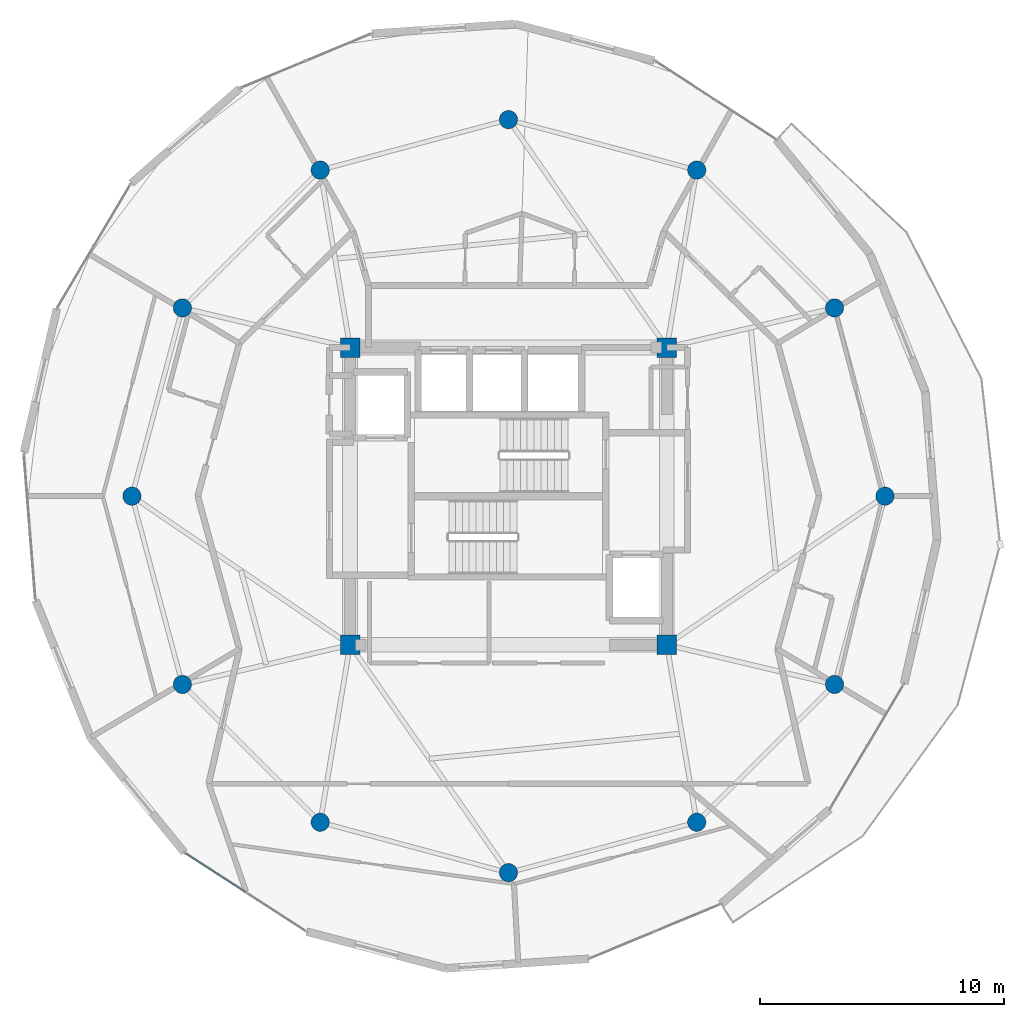
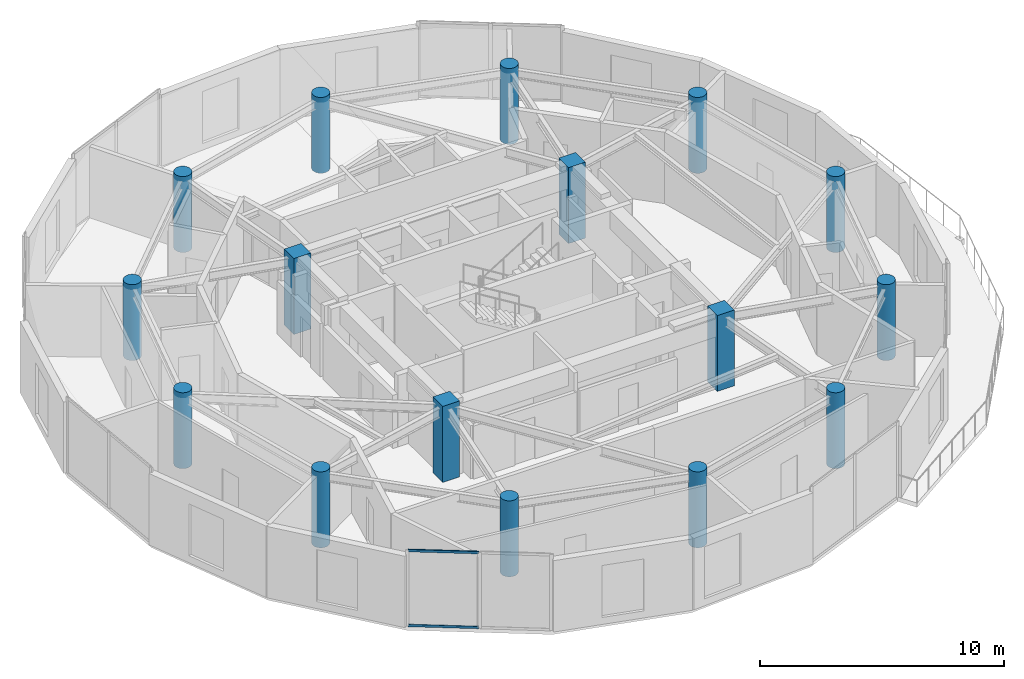
# One storey, part 1 of 22: 16 columns, 2 members, 1 element without a shape of its own.
"""IFC4 building model written with IfcOpenShell, lengths in metres."""

from ifc_helpers import new_model, si_unit, direction, frame, origin, origin_2d, place, context, subcontext, project, spatial, rectangle, hollow_rectangle, circle, extrude, source, transform, mapped, material, layer, layer_set, material_profile, profile_set, type_object, element, aggregate, save


model = new_model("IFC4")

# Units and contexts
model_context = context("Model", 3, precision=1e-05, world=origin(), true_north=direction((0.0, 1.0)))
body_context = subcontext(model_context, "Body", "Model", "MODEL_VIEW")
ifc_project = project(units=[si_unit("LENGTHUNIT", "METRE"), si_unit("AREAUNIT", "SQUARE_METRE"), si_unit("VOLUMEUNIT", "CUBIC_METRE"), si_unit("PLANEANGLEUNIT", "RADIAN"), si_unit("MASSUNIT", "GRAM", prefix="KILO")], contexts=[model_context])

# Site, building, storey
site_placement = place(None, origin())
site = spatial("IfcSite", under=ifc_project, at=site_placement, CompositionType="ELEMENT")
building_placement = place(site_placement, origin())
building = spatial("IfcBuilding", under=site, at=building_placement, Name="Solvirekh Grand Hotel", CompositionType="ELEMENT")
storey_placement = place(building_placement, frame((0.0, 0.0, 243.0)))
storey = spatial("IfcBuildingStorey", under=building, at=storey_placement, Name="L63", CompositionType="ELEMENT", Elevation=243.0)

# Columns
ifc_material_1 = material(Name="Concrete C50/60", Category="concrete")
ifc_material_profile_1 = material_profile(ifc_material_1, rectangle(XDim=0.800048828125, YDim=0.800048828125, at=origin_2d()), Name="RC 800X800")
ifc_profile_set_1 = profile_set([ifc_material_profile_1], Name="Concrete C50/60")
column_type_1 = type_object("IfcColumnType", Name="Col_Core_800", PredefinedType="COLUMN", material=ifc_profile_set_1)
for number, where, z_axis, x_axis, name in (
    (1, (-6.5, -6.10009765625, 0.0), (0.0, 0.0, 1.0), (1.0, 0.0, 0.0), "L63 core corner column CC1"),
    (2, (6.5, -6.10009765625, 0.0), (0.0, 0.0, 1.0), (1.0, 0.0, 0.0), "L63 core corner column CC2"),
    (3, (6.5, 6.10009765625, 0.0), (0.0, 0.0, 1.0), (1.0, 0.0, 0.0), "L63 core corner column CC3"),
    (4, (-6.5, 6.10009765625, 0.0), (0.0, 0.0, 1.0), (1.0, 0.0, 0.0), "L63 core corner column CC4"),
):
    element("IfcColumn", number, at=place(storey_placement, frame(where, z_axis=z_axis, x_axis=x_axis)), inside=storey, type_object=column_type_1, Name=name, PredefinedType="COLUMN", context=body_context, shape_type="SweptSolid", body=[
        extrude(rectangle(XDim=0.800048828125, YDim=0.800048828125, at=origin_2d()), origin(), (0.0, 0.0, 1.0), 3.800048828125),
    ])
ifc_material_profile_2 = material_profile(ifc_material_1, circle(Radius=0.375, at=origin_2d()), Name="RC CIRC D750")
ifc_profile_set_2 = profile_set([ifc_material_profile_2], Name="Concrete C50/60")
column_type_2 = type_object("IfcColumnType", Name="Col_Z4_D750", PredefinedType="COLUMN", material=ifc_profile_set_2)
for number, where, z_axis, x_axis, name in (
    (5, (15.449951171875, 0.0, 0.0), (0.0, 0.0, 1.0), (1.0, 0.0, 0.0), "L63 perimeter column P01"),
    (6, (13.3798828125, 7.72509765625, 0.0), (0.0, 0.0, 1.0), (1.0, 0.0, 0.0), "L63 perimeter column P02"),
    (7, (7.72509765625, 13.3798828125, 0.0), (0.0, 0.0, 1.0), (1.0, 0.0, 0.0), "L63 perimeter column P03"),
    (8, (0.0, 15.449951171875, 0.0), (0.0, 0.0, 1.0), (1.0, 0.0, 0.0), "L63 perimeter column P04"),
    (9, (-7.72509765625, 13.3798828125, 0.0), (0.0, 0.0, 1.0), (1.0, 0.0, 0.0), "L63 perimeter column P05"),
    (10, (-13.3798828125, 7.72509765625, 0.0), (0.0, 0.0, 1.0), (1.0, 0.0, 0.0), "L63 perimeter column P06"),
    (11, (-15.449951171875, 0.0, 0.0), (0.0, 0.0, 1.0), (1.0, 0.0, 0.0), "L63 perimeter column P07"),
    (12, (-13.3798828125, -7.72509765625, 0.0), (0.0, 0.0, 1.0), (1.0, 0.0, 0.0), "L63 perimeter column P08"),
    (13, (-7.72509765625, -13.3798828125, 0.0), (0.0, 0.0, 1.0), (1.0, 0.0, 0.0), "L63 perimeter column P09"),
    (14, (0.0, -15.449951171875, 0.0), (0.0, 0.0, 1.0), (1.0, 0.0, 0.0), "L63 perimeter column P10"),
    (15, (7.72509765625, -13.3798828125, 0.0), (0.0, 0.0, 1.0), (1.0, 0.0, 0.0), "L63 perimeter column P11"),
    (16, (13.3798828125, -7.72509765625, 0.0), (0.0, 0.0, 1.0), (1.0, 0.0, 0.0), "L63 perimeter column P12"),
):
    element("IfcColumn", number, at=place(storey_placement, frame(where, z_axis=z_axis, x_axis=x_axis)), inside=storey, type_object=column_type_2, Name=name, PredefinedType="COLUMN", context=body_context, shape_type="SweptSolid", body=[
        extrude(circle(Radius=0.375, at=origin_2d()), origin(), (0.0, 0.0, 1.0), 3.800048828125),
    ])

# Curtain wall, members
ifc_material_2 = material(Name="Anodized Bronze Aluminium 6063-T6", Category="aluminium")
ifc_layer = layer(ifc_material_2, 0.159912109375)
ifc_layer_set = layer_set([ifc_layer], Name="Anodized Bronze Aluminium 6063-T6")
curtain_wall_type = type_object("IfcCurtainWallType", Name="CW_Sys4_HighZoneFlushBronzeCW", PredefinedType="NOTDEFINED", material=ifc_layer_set)
curtain_wall_placement = place(storey_placement, origin())
curtain_wall = element("IfcCurtainWall", 17, at=curtain_wall_placement, inside=storey, type_object=curtain_wall_type, Name="L63 unitised bronze-glass curtain wall CW-L63-C18", PredefinedType="NOTDEFINED")
ifc_material_profile_3 = material_profile(ifc_material_2, hollow_rectangle(XDim=0.054931640625, YDim=0.1201171875, WallThickness=0.00390625, at=origin_2d()), Name="ALU RHS 120X55X4")
ifc_profile_set_3 = profile_set([ifc_material_profile_3], Name="Anodized Bronze Aluminium 6063-T6")
member_type = type_object("IfcMemberType", Name="CWTransom_Sys4", PredefinedType="USERDEFINED", material=ifc_profile_set_3)
shared_shape = source(origin(), body_context, "Body", "SweptSolid", [
    extrude(hollow_rectangle(XDim=0.054931640625, YDim=0.1201171875, WallThickness=0.00390625, at=origin_2d()), origin(), (0.0, 0.0, 1.0), 2.902587890625),
])
member_1_placement = place(storey_placement, frame((-13.250732421875, -14.655517578125, 0.027587890625), z_axis=(0.839403131285, -0.543509322081, 0.0), x_axis=(0.543509322081, 0.839403131285, 0.0)))
member_1 = element("IfcMember", 18, at=member_1_placement, type_object=member_type, Name="U04 transom 1.1", ObjectType="TRANSOM", PredefinedType="USERDEFINED", context=body_context, shape_type="MappedRepresentation", body=[
    mapped(shared_shape, transform((0.0, 0.0, 0.0), x_axis=(1.0, 0.0, 0.0), y_axis=(0.0, 1.0, 0.0), z_axis=(0.0, 0.0, 1.0), scale=1.0)),
])
member_2_placement = place(storey_placement, frame((-13.250732421875, -14.655517578125, 3.7724609375), z_axis=(0.839403131285, -0.543509322081, 0.0), x_axis=(0.543509322081, 0.839403131285, 0.0)))
member_2 = element("IfcMember", 19, at=member_2_placement, type_object=member_type, Name="U04 transom 1.2", ObjectType="TRANSOM", PredefinedType="USERDEFINED", context=body_context, shape_type="MappedRepresentation", body=[
    mapped(shared_shape, transform((0.0, 0.0, 0.0), x_axis=(1.0, 0.0, 0.0), y_axis=(0.0, 1.0, 0.0), z_axis=(0.0, 0.0, 1.0), scale=1.0)),
])
aggregate(curtain_wall, [member_1, member_2])

save(model, "model.ifc")
